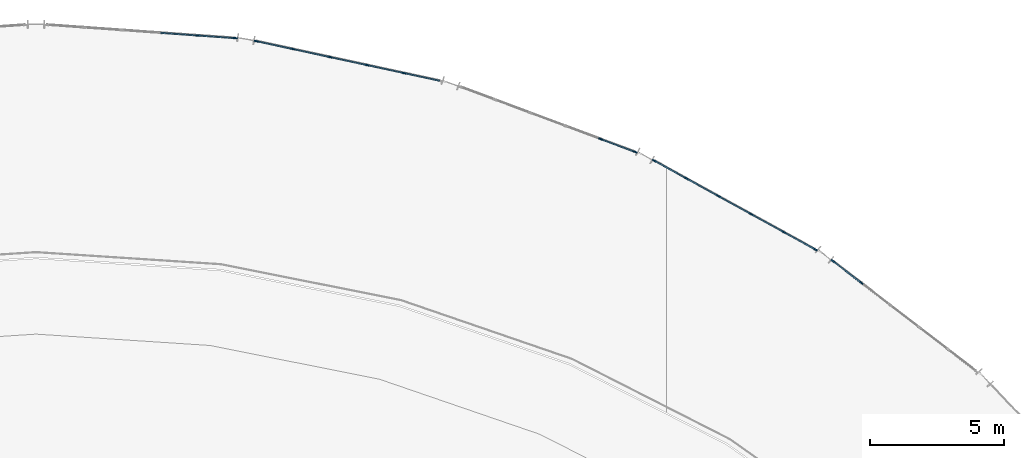
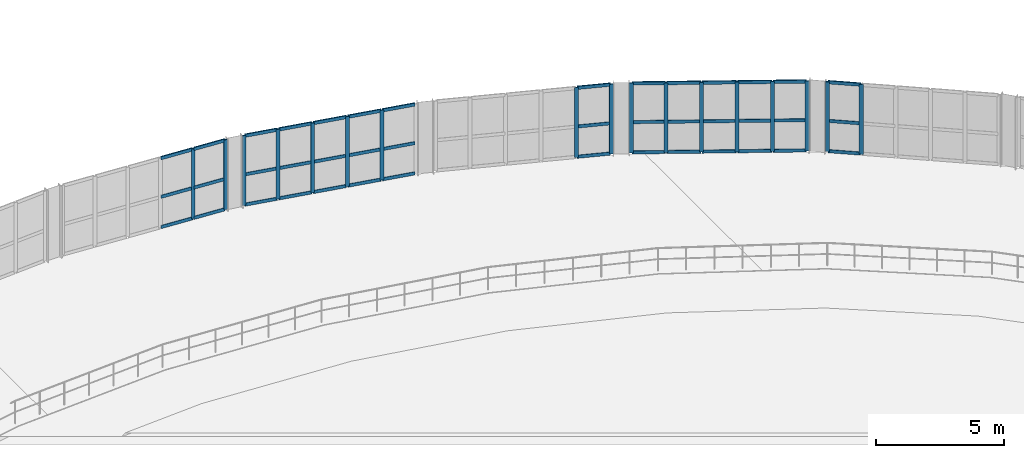
# One storey, part 21 of 40: 59 members, 5 elements without a shape of their own.
"""IFC4 building model written with IfcOpenShell, lengths in metres."""

from ifc_helpers import new_model, si_unit, direction, frame, origin, origin_2d, place, context, subcontext, project, spatial, rectangle, extrude, material, material_profile, profile_set, type_object, element, aggregate, save


model = new_model("IFC4")

# Units and contexts
model_context = context("Model", 3, precision=1e-05, world=origin(), true_north=direction((0.0, 1.0)))
body_context = subcontext(model_context, "Body", "Model", "MODEL_VIEW")
ifc_project = project(units=[si_unit("LENGTHUNIT", "METRE"), si_unit("AREAUNIT", "SQUARE_METRE"), si_unit("VOLUMEUNIT", "CUBIC_METRE"), si_unit("PLANEANGLEUNIT", "RADIAN"), si_unit("MASSUNIT", "GRAM", prefix="KILO")], contexts=[model_context])

# Site, building, storey
site_placement = place(None, origin())
site = spatial("IfcSite", under=ifc_project, at=site_placement, CompositionType="ELEMENT")
building_placement = place(site_placement, origin())
building = spatial("IfcBuilding", under=site, at=building_placement, Name="Glasvene Arena", CompositionType="ELEMENT")
storey_placement = place(building_placement, frame((0.0, 0.0, 24.0)))
storey = spatial("IfcBuildingStorey", under=building, at=storey_placement, Name="L05", CompositionType="ELEMENT", Elevation=24.0)

# Curtain wall, members
ifc_material_1 = material(Name="Low-emissivity laminated double glazing", Category="glass")
curtain_wall_type_1 = type_object("IfcCurtainWallType", Name="CW-FAC-L05-710x332", PredefinedType="USERDEFINED", material=ifc_material_1)
curtain_wall_1_placement = place(storey_placement, frame((92.366943359375, 117.97412109375, 0.0)))
curtain_wall_1 = element("IfcCurtainWall", 1, at=curtain_wall_1_placement, inside=storey, type_object=curtain_wall_type_1, Name="Unitised curtain wall CW-F-L05-150-959-1177-19", ObjectType="CURTAIN WALL", PredefinedType="USERDEFINED")
ifc_material_2 = material(Name="Anodised architectural aluminium", Category="aluminium")
ifc_material_profile_1 = material_profile(ifc_material_2, rectangle(XDim=0.050048828125, YDim=0.159912109375, at=origin_2d()), Name="ALU MULLION 50x160")
ifc_profile_set_1 = profile_set([ifc_material_profile_1], Name="Anodised architectural aluminium")
member_type_1 = type_object("IfcMemberType", Name="CW-MUL-150", PredefinedType="MULLION", material=ifc_profile_set_1)
member_1_placement = place(storey_placement, frame((98.03662109375, 117.572509765625, 0.06005859375), z_axis=(0.0, 0.0, 1.0), x_axis=(0.070656884566, 0.997500679029, 0.0)))
member_1 = element("IfcMember", 2, at=member_1_placement, type_object=member_type_1, Name="CW-065 mullion 5", PredefinedType="MULLION", context=body_context, shape_type="SweptSolid", body=[
    extrude(rectangle(XDim=0.050048828125, YDim=0.159912109375, at=origin_2d()), origin(), (0.0, 0.0, 1.0), 3.31982421875),
])
member_2_placement = place(storey_placement, frame((99.428955078125, 117.473876953125, 0.06005859375), z_axis=(0.0, 0.0, 1.0), x_axis=(0.070656884566, 0.997500679029, 0.0)))
member_2 = element("IfcMember", 3, at=member_2_placement, type_object=member_type_1, Name="CW-065 mullion 6", PredefinedType="MULLION", context=body_context, shape_type="SweptSolid", body=[
    extrude(rectangle(XDim=0.050048828125, YDim=0.159912109375, at=origin_2d()), origin(), (0.0, 0.0, 1.0), 3.31982421875),
])

curtain_wall_type_2 = type_object("IfcCurtainWallType", Name="CW-FAC-L05-707x332", PredefinedType="USERDEFINED", material=ifc_material_1)
curtain_wall_2_placement = place(storey_placement, frame((100.1806640625, 117.368408203125, 0.0)))
curtain_wall_2 = element("IfcCurtainWall", 4, at=curtain_wall_2_placement, inside=storey, type_object=curtain_wall_type_2, Name="Unitised curtain wall CW-F-L05-150-1036-1166-20", ObjectType="CURTAIN WALL", PredefinedType="USERDEFINED")
member_3_placement = place(storey_placement, frame((100.205078125, 117.36328125, 0.06005859375), z_axis=(0.0, 0.0, 1.0), x_axis=(0.211220641072, 0.977438407668, 0.0)))
member_3 = element("IfcMember", 5, at=member_3_placement, type_object=member_type_1, Name="CW-064 mullion 1", PredefinedType="MULLION", context=body_context, shape_type="SweptSolid", body=[
    extrude(rectangle(XDim=0.050048828125, YDim=0.159912109375, at=origin_2d()), origin(), (0.0, 0.0, 1.0), 3.31982421875),
])
member_4_placement = place(storey_placement, frame((101.5625, 117.06982421875, 0.06005859375), z_axis=(0.0, 0.0, 1.0), x_axis=(0.211220641072, 0.977438407668, 0.0)))
member_4 = element("IfcMember", 6, at=member_4_placement, type_object=member_type_1, Name="CW-064 mullion 2", PredefinedType="MULLION", context=body_context, shape_type="SweptSolid", body=[
    extrude(rectangle(XDim=0.050048828125, YDim=0.159912109375, at=origin_2d()), origin(), (0.0, 0.0, 1.0), 3.31982421875),
])
member_5_placement = place(storey_placement, frame((102.944091796875, 116.771240234375, 0.06005859375), z_axis=(0.0, 0.0, 1.0), x_axis=(0.211220641072, 0.977438407668, 0.0)))
member_5 = element("IfcMember", 7, at=member_5_placement, type_object=member_type_1, Name="CW-064 mullion 3", PredefinedType="MULLION", context=body_context, shape_type="SweptSolid", body=[
    extrude(rectangle(XDim=0.050048828125, YDim=0.159912109375, at=origin_2d()), origin(), (0.0, 0.0, 1.0), 3.31982421875),
])
member_6_placement = place(storey_placement, frame((104.32568359375, 116.47265625, 0.06005859375), z_axis=(0.0, 0.0, 1.0), x_axis=(0.211220641072, 0.977438407668, 0.0)))
member_6 = element("IfcMember", 8, at=member_6_placement, type_object=member_type_1, Name="CW-064 mullion 4", PredefinedType="MULLION", context=body_context, shape_type="SweptSolid", body=[
    extrude(rectangle(XDim=0.050048828125, YDim=0.159912109375, at=origin_2d()), origin(), (0.0, 0.0, 1.0), 3.31982421875),
])
member_7_placement = place(storey_placement, frame((105.70751953125, 116.174072265625, 0.06005859375), z_axis=(0.0, 0.0, 1.0), x_axis=(0.211220641072, 0.977438407668, 0.0)))
member_7 = element("IfcMember", 9, at=member_7_placement, type_object=member_type_1, Name="CW-064 mullion 5", PredefinedType="MULLION", context=body_context, shape_type="SweptSolid", body=[
    extrude(rectangle(XDim=0.050048828125, YDim=0.159912109375, at=origin_2d()), origin(), (0.0, 0.0, 1.0), 3.31982421875),
])

curtain_wall_type_3 = type_object("IfcCurtainWallType", Name="CW-FAC-L05-700x332", PredefinedType="USERDEFINED", material=ifc_material_1)
curtain_wall_3_placement = place(storey_placement, frame((107.794677734375, 115.669189453125, 0.0)))
curtain_wall_3 = element("IfcCurtainWall", 10, at=curtain_wall_3_placement, inside=storey, type_object=curtain_wall_type_3, Name="Unitised curtain wall CW-F-L05-150-1111-1144-21", ObjectType="CURTAIN WALL", PredefinedType="USERDEFINED")
member_8_placement = place(storey_placement, frame((113.040283203125, 113.7138671875, 0.06005859375), z_axis=(0.0, 0.0, 1.0), x_axis=(0.349296753096, 0.937012154818, 0.0)))
member_8 = element("IfcMember", 11, at=member_8_placement, type_object=member_type_1, Name="CW-063 mullion 5", PredefinedType="MULLION", context=body_context, shape_type="SweptSolid", body=[
    extrude(rectangle(XDim=0.050048828125, YDim=0.159912109375, at=origin_2d()), origin(), (0.0, 0.0, 1.0), 3.31982421875),
])
member_9_placement = place(storey_placement, frame((114.328369140625, 113.233642578125, 0.06005859375), z_axis=(0.0, 0.0, 1.0), x_axis=(0.349296753096, 0.937012154818, 0.0)))
member_9 = element("IfcMember", 12, at=member_9_placement, type_object=member_type_1, Name="CW-063 mullion 6", PredefinedType="MULLION", context=body_context, shape_type="SweptSolid", body=[
    extrude(rectangle(XDim=0.050048828125, YDim=0.159912109375, at=origin_2d()), origin(), (0.0, 0.0, 1.0), 3.31982421875),
])

curtain_wall_type_4 = type_object("IfcCurtainWallType", Name="CW-FAC-L05-690x332", PredefinedType="USERDEFINED", material=ifc_material_1)
curtain_wall_4_placement = place(storey_placement, frame((115.02099609375, 112.918212890625, 0.0)))
curtain_wall_4 = element("IfcCurtainWall", 13, at=curtain_wall_4_placement, inside=storey, type_object=curtain_wall_type_4, Name="Unitised curtain wall CW-F-L05-150-1180-1113-22", ObjectType="CURTAIN WALL", PredefinedType="USERDEFINED")
member_10_placement = place(storey_placement, frame((115.042724609375, 112.906005859375, 0.06005859375), z_axis=(0.0, 0.0, 1.0), x_axis=(0.482938658483, 0.875654185248, 0.0)))
member_10 = element("IfcMember", 14, at=member_10_placement, type_object=member_type_1, Name="CW-062 mullion 1", PredefinedType="MULLION", context=body_context, shape_type="SweptSolid", body=[
    extrude(rectangle(XDim=0.050048828125, YDim=0.159912109375, at=origin_2d()), origin(), (0.0, 0.0, 1.0), 3.31982421875),
])
member_11_placement = place(storey_placement, frame((116.2294921875, 112.25146484375, 0.06005859375), z_axis=(0.0, 0.0, 1.0), x_axis=(0.482938658483, 0.875654185248, 0.0)))
member_11 = element("IfcMember", 15, at=member_11_placement, type_object=member_type_1, Name="CW-062 mullion 2", PredefinedType="MULLION", context=body_context, shape_type="SweptSolid", body=[
    extrude(rectangle(XDim=0.050048828125, YDim=0.159912109375, at=origin_2d()), origin(), (0.0, 0.0, 1.0), 3.31982421875),
])
member_12_placement = place(storey_placement, frame((117.43798828125, 111.5849609375, 0.06005859375), z_axis=(0.0, 0.0, 1.0), x_axis=(0.482938658483, 0.875654185248, 0.0)))
member_12 = element("IfcMember", 16, at=member_12_placement, type_object=member_type_1, Name="CW-062 mullion 3", PredefinedType="MULLION", context=body_context, shape_type="SweptSolid", body=[
    extrude(rectangle(XDim=0.050048828125, YDim=0.159912109375, at=origin_2d()), origin(), (0.0, 0.0, 1.0), 3.31982421875),
])
member_13_placement = place(storey_placement, frame((118.646484375, 110.91845703125, 0.06005859375), z_axis=(0.0, 0.0, 1.0), x_axis=(0.482938658483, 0.875654185248, 0.0)))
member_13 = element("IfcMember", 17, at=member_13_placement, type_object=member_type_1, Name="CW-062 mullion 4", PredefinedType="MULLION", context=body_context, shape_type="SweptSolid", body=[
    extrude(rectangle(XDim=0.050048828125, YDim=0.159912109375, at=origin_2d()), origin(), (0.0, 0.0, 1.0), 3.31982421875),
])
member_14_placement = place(storey_placement, frame((119.85498046875, 110.251953125, 0.06005859375), z_axis=(0.0, 0.0, 1.0), x_axis=(0.482938658483, 0.875654185248, 0.0)))
member_14 = element("IfcMember", 18, at=member_14_placement, type_object=member_type_1, Name="CW-062 mullion 5", PredefinedType="MULLION", context=body_context, shape_type="SweptSolid", body=[
    extrude(rectangle(XDim=0.050048828125, YDim=0.159912109375, at=origin_2d()), origin(), (0.0, 0.0, 1.0), 3.31982421875),
])
member_15_placement = place(storey_placement, frame((121.04150390625, 109.59765625, 0.06005859375), z_axis=(0.0, 0.0, 1.0), x_axis=(0.482938658483, 0.875654185248, 0.0)))
member_15 = element("IfcMember", 19, at=member_15_placement, type_object=member_type_1, Name="CW-062 mullion 6", PredefinedType="MULLION", context=body_context, shape_type="SweptSolid", body=[
    extrude(rectangle(XDim=0.050048828125, YDim=0.159912109375, at=origin_2d()), origin(), (0.0, 0.0, 1.0), 3.31982421875),
])

curtain_wall_type_5 = type_object("IfcCurtainWallType", Name="CW-FAC-L05-679x332", PredefinedType="USERDEFINED", material=ifc_material_1)
curtain_wall_5_placement = place(storey_placement, frame((121.680419921875, 109.18212890625, 0.0)))
curtain_wall_5 = element("IfcCurtainWall", 20, at=curtain_wall_5_placement, inside=storey, type_object=curtain_wall_type_5, Name="Unitised curtain wall CW-F-L05-150-1244-1071-23", ObjectType="CURTAIN WALL", PredefinedType="USERDEFINED")
member_16_placement = place(storey_placement, frame((121.7001953125, 109.166748046875, 0.06005859375), z_axis=(0.0, 0.0, 1.0), x_axis=(0.609430105187, 0.792839799008, 0.0)))
member_16 = element("IfcMember", 21, at=member_16_placement, type_object=member_type_1, Name="CW-061 mullion 1", PredefinedType="MULLION", context=body_context, shape_type="SweptSolid", body=[
    extrude(rectangle(XDim=0.050048828125, YDim=0.159912109375, at=origin_2d()), origin(), (0.0, 0.0, 1.0), 3.31982421875),
])
member_17_placement = place(storey_placement, frame((122.75634765625, 108.35498046875, 0.06005859375), z_axis=(0.0, 0.0, 1.0), x_axis=(0.609430105187, 0.792839799008, 0.0)))
member_17 = element("IfcMember", 22, at=member_17_placement, type_object=member_type_1, Name="CW-061 mullion 2", PredefinedType="MULLION", context=body_context, shape_type="SweptSolid", body=[
    extrude(rectangle(XDim=0.050048828125, YDim=0.159912109375, at=origin_2d()), origin(), (0.0, 0.0, 1.0), 3.31982421875),
])

# Member
ifc_material_profile_2 = material_profile(ifc_material_2, rectangle(XDim=0.050048828125, YDim=0.14990234375, at=origin_2d()), Name="ALU TRANSOM 50x150")
ifc_profile_set_2 = profile_set([ifc_material_profile_2], Name="Anodised architectural aluminium")
member_type_2 = type_object("IfcMemberType", Name="CW-TRN-150", PredefinedType="USERDEFINED", material=ifc_profile_set_2)
member_18_placement = place(storey_placement, frame((96.64404296875, 117.671142578125, 0.0849609375), z_axis=(0.997497424399, -0.070702816905, 0.0), x_axis=(0.070702816905, 0.997497424399, 0.0)))
member_18 = element("IfcMember", 23, at=member_18_placement, type_object=member_type_2, Name="CW-065 transom 4.1", ObjectType="TRANSOM", PredefinedType="USERDEFINED", context=body_context, shape_type="SweptSolid", body=[
    extrude(rectangle(XDim=0.050048828125, YDim=0.14990234375, at=origin_2d()), origin(), (0.0, 0.0, 1.0), 1.370849609375),
])

member_19_placement = place(storey_placement, frame((96.64404296875, 117.671142578125, 1.52099609375), z_axis=(0.997497424399, -0.070702816905, 0.0), x_axis=(0.070702816905, 0.997497424399, 0.0)))
member_19 = element("IfcMember", 24, at=member_19_placement, type_object=member_type_2, Name="CW-065 transom 4.2", ObjectType="TRANSOM", PredefinedType="USERDEFINED", context=body_context, shape_type="SweptSolid", body=[
    extrude(rectangle(XDim=0.050048828125, YDim=0.14990234375, at=origin_2d()), origin(), (0.0, 0.0, 1.0), 1.370849609375),
])

member_20_placement = place(storey_placement, frame((96.64404296875, 117.671142578125, 3.35498046875), z_axis=(0.997497424399, -0.070702816905, 0.0), x_axis=(0.070702816905, 0.997497424399, 0.0)))
member_20 = element("IfcMember", 25, at=member_20_placement, type_object=member_type_2, Name="CW-065 transom 4.3", ObjectType="TRANSOM", PredefinedType="USERDEFINED", context=body_context, shape_type="SweptSolid", body=[
    extrude(rectangle(XDim=0.050048828125, YDim=0.14990234375, at=origin_2d()), origin(), (0.0, 0.0, 1.0), 1.370849609375),
])

member_21_placement = place(storey_placement, frame((98.0615234375, 117.570556640625, 0.0849609375), z_axis=(0.997507268322, -0.070563798396, 0.0), x_axis=(0.070563798396, 0.997507268322, 0.0)))
member_21 = element("IfcMember", 26, at=member_21_placement, type_object=member_type_2, Name="CW-065 transom 5.1", ObjectType="TRANSOM", PredefinedType="USERDEFINED", context=body_context, shape_type="SweptSolid", body=[
    extrude(rectangle(XDim=0.050048828125, YDim=0.14990234375, at=origin_2d()), origin(), (0.0, 0.0, 1.0), 1.345947265625),
])

member_22_placement = place(storey_placement, frame((98.0615234375, 117.570556640625, 1.52099609375), z_axis=(0.997507268322, -0.070563798396, 0.0), x_axis=(0.070563798396, 0.997507268322, 0.0)))
member_22 = element("IfcMember", 27, at=member_22_placement, type_object=member_type_2, Name="CW-065 transom 5.2", ObjectType="TRANSOM", PredefinedType="USERDEFINED", context=body_context, shape_type="SweptSolid", body=[
    extrude(rectangle(XDim=0.050048828125, YDim=0.14990234375, at=origin_2d()), origin(), (0.0, 0.0, 1.0), 1.345947265625),
])

member_23_placement = place(storey_placement, frame((98.0615234375, 117.570556640625, 3.35498046875), z_axis=(0.997507268322, -0.070563798396, 0.0), x_axis=(0.070563798396, 0.997507268322, 0.0)))
member_23 = element("IfcMember", 28, at=member_23_placement, type_object=member_type_2, Name="CW-065 transom 5.3", ObjectType="TRANSOM", PredefinedType="USERDEFINED", context=body_context, shape_type="SweptSolid", body=[
    extrude(rectangle(XDim=0.050048828125, YDim=0.14990234375, at=origin_2d()), origin(), (0.0, 0.0, 1.0), 1.345947265625),
])

aggregate(curtain_wall_1, [member_1, member_2, member_18, member_19, member_20, member_21, member_22, member_23])

member_24_placement = place(storey_placement, frame((100.2294921875, 117.35791015625, 0.0849609375), z_axis=(0.97744876634, -0.211172699892, 0.0), x_axis=(0.211172699892, 0.97744876634, 0.0)))
member_24 = element("IfcMember", 29, at=member_24_placement, type_object=member_type_2, Name="CW-064 transom 1.1", ObjectType="TRANSOM", PredefinedType="USERDEFINED", context=body_context, shape_type="SweptSolid", body=[
    extrude(rectangle(XDim=0.050048828125, YDim=0.14990234375, at=origin_2d()), origin(), (0.0, 0.0, 1.0), 1.3388671875),
])

member_25_placement = place(storey_placement, frame((100.2294921875, 117.35791015625, 1.52099609375), z_axis=(0.97744876634, -0.211172699892, 0.0), x_axis=(0.211172699892, 0.97744876634, 0.0)))
member_25 = element("IfcMember", 30, at=member_25_placement, type_object=member_type_2, Name="CW-064 transom 1.2", ObjectType="TRANSOM", PredefinedType="USERDEFINED", context=body_context, shape_type="SweptSolid", body=[
    extrude(rectangle(XDim=0.050048828125, YDim=0.14990234375, at=origin_2d()), origin(), (0.0, 0.0, 1.0), 1.3388671875),
])

member_26_placement = place(storey_placement, frame((100.2294921875, 117.35791015625, 3.35498046875), z_axis=(0.97744876634, -0.211172699892, 0.0), x_axis=(0.211172699892, 0.97744876634, 0.0)))
member_26 = element("IfcMember", 31, at=member_26_placement, type_object=member_type_2, Name="CW-064 transom 1.3", ObjectType="TRANSOM", PredefinedType="USERDEFINED", context=body_context, shape_type="SweptSolid", body=[
    extrude(rectangle(XDim=0.050048828125, YDim=0.14990234375, at=origin_2d()), origin(), (0.0, 0.0, 1.0), 1.3388671875),
])

member_27_placement = place(storey_placement, frame((101.5869140625, 117.064697265625, 0.0849609375), z_axis=(0.977426158745, -0.211277315867, 0.0), x_axis=(0.211277315867, 0.977426158745, 0.0)))
member_27 = element("IfcMember", 32, at=member_27_placement, type_object=member_type_2, Name="CW-064 transom 2.1", ObjectType="TRANSOM", PredefinedType="USERDEFINED", context=body_context, shape_type="SweptSolid", body=[
    extrude(rectangle(XDim=0.050048828125, YDim=0.14990234375, at=origin_2d()), origin(), (0.0, 0.0, 1.0), 1.363525390625),
])

member_28_placement = place(storey_placement, frame((101.5869140625, 117.064697265625, 1.52099609375), z_axis=(0.977426158745, -0.211277315867, 0.0), x_axis=(0.211277315867, 0.977426158745, 0.0)))
member_28 = element("IfcMember", 33, at=member_28_placement, type_object=member_type_2, Name="CW-064 transom 2.2", ObjectType="TRANSOM", PredefinedType="USERDEFINED", context=body_context, shape_type="SweptSolid", body=[
    extrude(rectangle(XDim=0.050048828125, YDim=0.14990234375, at=origin_2d()), origin(), (0.0, 0.0, 1.0), 1.363525390625),
])

member_29_placement = place(storey_placement, frame((101.5869140625, 117.064697265625, 3.35498046875), z_axis=(0.977426158745, -0.211277315867, 0.0), x_axis=(0.211277315867, 0.977426158745, 0.0)))
member_29 = element("IfcMember", 34, at=member_29_placement, type_object=member_type_2, Name="CW-064 transom 2.3", ObjectType="TRANSOM", PredefinedType="USERDEFINED", context=body_context, shape_type="SweptSolid", body=[
    extrude(rectangle(XDim=0.050048828125, YDim=0.14990234375, at=origin_2d()), origin(), (0.0, 0.0, 1.0), 1.363525390625),
])

member_30_placement = place(storey_placement, frame((102.968505859375, 116.76611328125, 0.0849609375), z_axis=(0.977426158745, -0.211277315867, 0.0), x_axis=(0.211277315867, 0.977426158745, 0.0)))
member_30 = element("IfcMember", 35, at=member_30_placement, type_object=member_type_2, Name="CW-064 transom 3.1", ObjectType="TRANSOM", PredefinedType="USERDEFINED", context=body_context, shape_type="SweptSolid", body=[
    extrude(rectangle(XDim=0.050048828125, YDim=0.14990234375, at=origin_2d()), origin(), (0.0, 0.0, 1.0), 1.363525390625),
])

member_31_placement = place(storey_placement, frame((102.968505859375, 116.76611328125, 1.52099609375), z_axis=(0.977426158745, -0.211277315867, 0.0), x_axis=(0.211277315867, 0.977426158745, 0.0)))
member_31 = element("IfcMember", 36, at=member_31_placement, type_object=member_type_2, Name="CW-064 transom 3.2", ObjectType="TRANSOM", PredefinedType="USERDEFINED", context=body_context, shape_type="SweptSolid", body=[
    extrude(rectangle(XDim=0.050048828125, YDim=0.14990234375, at=origin_2d()), origin(), (0.0, 0.0, 1.0), 1.363525390625),
])

member_32_placement = place(storey_placement, frame((102.968505859375, 116.76611328125, 3.35498046875), z_axis=(0.977426158745, -0.211277315867, 0.0), x_axis=(0.211277315867, 0.977426158745, 0.0)))
member_32 = element("IfcMember", 37, at=member_32_placement, type_object=member_type_2, Name="CW-064 transom 3.3", ObjectType="TRANSOM", PredefinedType="USERDEFINED", context=body_context, shape_type="SweptSolid", body=[
    extrude(rectangle(XDim=0.050048828125, YDim=0.14990234375, at=origin_2d()), origin(), (0.0, 0.0, 1.0), 1.363525390625),
])

member_33_placement = place(storey_placement, frame((104.350341796875, 116.467529296875, 0.0849609375), z_axis=(0.977426158745, -0.211277315867, 0.0), x_axis=(0.211277315867, 0.977426158745, 0.0)))
member_33 = element("IfcMember", 38, at=member_33_placement, type_object=member_type_2, Name="CW-064 transom 4.1", ObjectType="TRANSOM", PredefinedType="USERDEFINED", context=body_context, shape_type="SweptSolid", body=[
    extrude(rectangle(XDim=0.050048828125, YDim=0.14990234375, at=origin_2d()), origin(), (0.0, 0.0, 1.0), 1.363525390625),
])

member_34_placement = place(storey_placement, frame((104.350341796875, 116.467529296875, 1.52099609375), z_axis=(0.977426158745, -0.211277315867, 0.0), x_axis=(0.211277315867, 0.977426158745, 0.0)))
member_34 = element("IfcMember", 39, at=member_34_placement, type_object=member_type_2, Name="CW-064 transom 4.2", ObjectType="TRANSOM", PredefinedType="USERDEFINED", context=body_context, shape_type="SweptSolid", body=[
    extrude(rectangle(XDim=0.050048828125, YDim=0.14990234375, at=origin_2d()), origin(), (0.0, 0.0, 1.0), 1.363525390625),
])

member_35_placement = place(storey_placement, frame((104.350341796875, 116.467529296875, 3.35498046875), z_axis=(0.977426158745, -0.211277315867, 0.0), x_axis=(0.211277315867, 0.977426158745, 0.0)))
member_35 = element("IfcMember", 40, at=member_35_placement, type_object=member_type_2, Name="CW-064 transom 4.3", ObjectType="TRANSOM", PredefinedType="USERDEFINED", context=body_context, shape_type="SweptSolid", body=[
    extrude(rectangle(XDim=0.050048828125, YDim=0.14990234375, at=origin_2d()), origin(), (0.0, 0.0, 1.0), 1.363525390625),
])

member_36_placement = place(storey_placement, frame((105.73193359375, 116.1689453125, 0.0849609375), z_axis=(0.977440632027, -0.211210347432, 0.0), x_axis=(0.211210347432, 0.977440632027, 0.0)))
member_36 = element("IfcMember", 41, at=member_36_placement, type_object=member_type_2, Name="CW-064 transom 5.1", ObjectType="TRANSOM", PredefinedType="USERDEFINED", context=body_context, shape_type="SweptSolid", body=[
    extrude(rectangle(XDim=0.050048828125, YDim=0.14990234375, at=origin_2d()), origin(), (0.0, 0.0, 1.0), 1.338623046875),
])

member_37_placement = place(storey_placement, frame((105.73193359375, 116.1689453125, 1.52099609375), z_axis=(0.977440632027, -0.211210347432, 0.0), x_axis=(0.211210347432, 0.977440632027, 0.0)))
member_37 = element("IfcMember", 42, at=member_37_placement, type_object=member_type_2, Name="CW-064 transom 5.2", ObjectType="TRANSOM", PredefinedType="USERDEFINED", context=body_context, shape_type="SweptSolid", body=[
    extrude(rectangle(XDim=0.050048828125, YDim=0.14990234375, at=origin_2d()), origin(), (0.0, 0.0, 1.0), 1.338623046875),
])

member_38_placement = place(storey_placement, frame((105.73193359375, 116.1689453125, 3.35498046875), z_axis=(0.977440632027, -0.211210347432, 0.0), x_axis=(0.211210347432, 0.977440632027, 0.0)))
member_38 = element("IfcMember", 43, at=member_38_placement, type_object=member_type_2, Name="CW-064 transom 5.3", ObjectType="TRANSOM", PredefinedType="USERDEFINED", context=body_context, shape_type="SweptSolid", body=[
    extrude(rectangle(XDim=0.050048828125, YDim=0.14990234375, at=origin_2d()), origin(), (0.0, 0.0, 1.0), 1.338623046875),
])

aggregate(curtain_wall_2, [member_3, member_4, member_5, member_6, member_7, member_24, member_25, member_26, member_27, member_28, member_29, member_30, member_31, member_32, member_33, member_34, member_35, member_36, member_37, member_38])

member_39_placement = place(storey_placement, frame((113.063720703125, 113.705078125, 0.0849609375), z_axis=(0.937024171084, -0.349264516956, 0.0), x_axis=(0.349264516956, 0.937024171084, 0.0)))
member_39 = element("IfcMember", 44, at=member_39_placement, type_object=member_type_2, Name="CW-063 transom 5.1", ObjectType="TRANSOM", PredefinedType="USERDEFINED", context=body_context, shape_type="SweptSolid", body=[
    extrude(rectangle(XDim=0.050048828125, YDim=0.14990234375, at=origin_2d()), origin(), (0.0, 0.0, 1.0), 1.32470703125),
])

member_40_placement = place(storey_placement, frame((113.063720703125, 113.705078125, 1.52099609375), z_axis=(0.937024171084, -0.349264516956, 0.0), x_axis=(0.349264516956, 0.937024171084, 0.0)))
member_40 = element("IfcMember", 45, at=member_40_placement, type_object=member_type_2, Name="CW-063 transom 5.2", ObjectType="TRANSOM", PredefinedType="USERDEFINED", context=body_context, shape_type="SweptSolid", body=[
    extrude(rectangle(XDim=0.050048828125, YDim=0.14990234375, at=origin_2d()), origin(), (0.0, 0.0, 1.0), 1.32470703125),
])

member_41_placement = place(storey_placement, frame((113.063720703125, 113.705078125, 3.35498046875), z_axis=(0.937024171084, -0.349264516956, 0.0), x_axis=(0.349264516956, 0.937024171084, 0.0)))
member_41 = element("IfcMember", 46, at=member_41_placement, type_object=member_type_2, Name="CW-063 transom 5.3", ObjectType="TRANSOM", PredefinedType="USERDEFINED", context=body_context, shape_type="SweptSolid", body=[
    extrude(rectangle(XDim=0.050048828125, YDim=0.14990234375, at=origin_2d()), origin(), (0.0, 0.0, 1.0), 1.32470703125),
])

aggregate(curtain_wall_3, [member_8, member_9, member_39, member_40, member_41])

member_42_placement = place(storey_placement, frame((115.064697265625, 112.89404296875, 0.0849609375), z_axis=(0.875626789087, -0.482988329293, 0.0), x_axis=(0.482988329293, 0.875626789087, 0.0)))
member_42 = element("IfcMember", 47, at=member_42_placement, type_object=member_type_2, Name="CW-062 transom 1.1", ObjectType="TRANSOM", PredefinedType="USERDEFINED", context=body_context, shape_type="SweptSolid", body=[
    extrude(rectangle(XDim=0.050048828125, YDim=0.14990234375, at=origin_2d()), origin(), (0.0, 0.0, 1.0), 1.30517578125),
])

member_43_placement = place(storey_placement, frame((115.064697265625, 112.89404296875, 1.52099609375), z_axis=(0.875626789087, -0.482988329293, 0.0), x_axis=(0.482988329293, 0.875626789087, 0.0)))
member_43 = element("IfcMember", 48, at=member_43_placement, type_object=member_type_2, Name="CW-062 transom 1.2", ObjectType="TRANSOM", PredefinedType="USERDEFINED", context=body_context, shape_type="SweptSolid", body=[
    extrude(rectangle(XDim=0.050048828125, YDim=0.14990234375, at=origin_2d()), origin(), (0.0, 0.0, 1.0), 1.30517578125),
])

member_44_placement = place(storey_placement, frame((115.064697265625, 112.89404296875, 3.35498046875), z_axis=(0.875626789087, -0.482988329293, 0.0), x_axis=(0.482988329293, 0.875626789087, 0.0)))
member_44 = element("IfcMember", 49, at=member_44_placement, type_object=member_type_2, Name="CW-062 transom 1.3", ObjectType="TRANSOM", PredefinedType="USERDEFINED", context=body_context, shape_type="SweptSolid", body=[
    extrude(rectangle(XDim=0.050048828125, YDim=0.14990234375, at=origin_2d()), origin(), (0.0, 0.0, 1.0), 1.30517578125),
])

member_45_placement = place(storey_placement, frame((116.251220703125, 112.239501953125, 0.0849609375), z_axis=(0.875676714478, -0.482897806705, 0.0), x_axis=(0.482897806705, 0.875676714478, 0.0)))
member_45 = element("IfcMember", 50, at=member_45_placement, type_object=member_type_2, Name="CW-062 transom 2.1", ObjectType="TRANSOM", PredefinedType="USERDEFINED", context=body_context, shape_type="SweptSolid", body=[
    extrude(rectangle(XDim=0.050048828125, YDim=0.14990234375, at=origin_2d()), origin(), (0.0, 0.0, 1.0), 1.330078125),
])

member_46_placement = place(storey_placement, frame((116.251220703125, 112.239501953125, 1.52099609375), z_axis=(0.875676714478, -0.482897806705, 0.0), x_axis=(0.482897806705, 0.875676714478, 0.0)))
member_46 = element("IfcMember", 51, at=member_46_placement, type_object=member_type_2, Name="CW-062 transom 2.2", ObjectType="TRANSOM", PredefinedType="USERDEFINED", context=body_context, shape_type="SweptSolid", body=[
    extrude(rectangle(XDim=0.050048828125, YDim=0.14990234375, at=origin_2d()), origin(), (0.0, 0.0, 1.0), 1.330078125),
])

member_47_placement = place(storey_placement, frame((116.251220703125, 112.239501953125, 3.35498046875), z_axis=(0.875676714478, -0.482897806705, 0.0), x_axis=(0.482897806705, 0.875676714478, 0.0)))
member_47 = element("IfcMember", 52, at=member_47_placement, type_object=member_type_2, Name="CW-062 transom 2.3", ObjectType="TRANSOM", PredefinedType="USERDEFINED", context=body_context, shape_type="SweptSolid", body=[
    extrude(rectangle(XDim=0.050048828125, YDim=0.14990234375, at=origin_2d()), origin(), (0.0, 0.0, 1.0), 1.330078125),
])

member_48_placement = place(storey_placement, frame((117.459716796875, 111.572998046875, 0.0849609375), z_axis=(0.875676714478, -0.482897806705, 0.0), x_axis=(0.482897806705, 0.875676714478, 0.0)))
member_48 = element("IfcMember", 53, at=member_48_placement, type_object=member_type_2, Name="CW-062 transom 3.1", ObjectType="TRANSOM", PredefinedType="USERDEFINED", context=body_context, shape_type="SweptSolid", body=[
    extrude(rectangle(XDim=0.050048828125, YDim=0.14990234375, at=origin_2d()), origin(), (0.0, 0.0, 1.0), 1.330078125),
])

member_49_placement = place(storey_placement, frame((117.459716796875, 111.572998046875, 1.52099609375), z_axis=(0.875676714478, -0.482897806705, 0.0), x_axis=(0.482897806705, 0.875676714478, 0.0)))
member_49 = element("IfcMember", 54, at=member_49_placement, type_object=member_type_2, Name="CW-062 transom 3.2", ObjectType="TRANSOM", PredefinedType="USERDEFINED", context=body_context, shape_type="SweptSolid", body=[
    extrude(rectangle(XDim=0.050048828125, YDim=0.14990234375, at=origin_2d()), origin(), (0.0, 0.0, 1.0), 1.330078125),
])

member_50_placement = place(storey_placement, frame((117.459716796875, 111.572998046875, 3.35498046875), z_axis=(0.875676714478, -0.482897806705, 0.0), x_axis=(0.482897806705, 0.875676714478, 0.0)))
member_50 = element("IfcMember", 55, at=member_50_placement, type_object=member_type_2, Name="CW-062 transom 3.3", ObjectType="TRANSOM", PredefinedType="USERDEFINED", context=body_context, shape_type="SweptSolid", body=[
    extrude(rectangle(XDim=0.050048828125, YDim=0.14990234375, at=origin_2d()), origin(), (0.0, 0.0, 1.0), 1.330078125),
])

member_51_placement = place(storey_placement, frame((118.66845703125, 110.906494140625, 0.0849609375), z_axis=(0.875633904051, -0.482975430096, 0.0), x_axis=(0.482975430096, 0.875633904051, 0.0)))
member_51 = element("IfcMember", 56, at=member_51_placement, type_object=member_type_2, Name="CW-062 transom 4.1", ObjectType="TRANSOM", PredefinedType="USERDEFINED", context=body_context, shape_type="SweptSolid", body=[
    extrude(rectangle(XDim=0.050048828125, YDim=0.14990234375, at=origin_2d()), origin(), (0.0, 0.0, 1.0), 1.329833984375),
])

member_52_placement = place(storey_placement, frame((118.66845703125, 110.906494140625, 1.52099609375), z_axis=(0.875633904051, -0.482975430096, 0.0), x_axis=(0.482975430096, 0.875633904051, 0.0)))
member_52 = element("IfcMember", 57, at=member_52_placement, type_object=member_type_2, Name="CW-062 transom 4.2", ObjectType="TRANSOM", PredefinedType="USERDEFINED", context=body_context, shape_type="SweptSolid", body=[
    extrude(rectangle(XDim=0.050048828125, YDim=0.14990234375, at=origin_2d()), origin(), (0.0, 0.0, 1.0), 1.329833984375),
])

member_53_placement = place(storey_placement, frame((118.66845703125, 110.906494140625, 3.35498046875), z_axis=(0.875633904051, -0.482975430096, 0.0), x_axis=(0.482975430096, 0.875633904051, 0.0)))
member_53 = element("IfcMember", 58, at=member_53_placement, type_object=member_type_2, Name="CW-062 transom 4.3", ObjectType="TRANSOM", PredefinedType="USERDEFINED", context=body_context, shape_type="SweptSolid", body=[
    extrude(rectangle(XDim=0.050048828125, YDim=0.14990234375, at=origin_2d()), origin(), (0.0, 0.0, 1.0), 1.329833984375),
])

member_54_placement = place(storey_placement, frame((119.876953125, 110.239990234375, 0.0849609375), z_axis=(0.875626789087, -0.482988329293, 0.0), x_axis=(0.482988329293, 0.875626789087, 0.0)))
member_54 = element("IfcMember", 59, at=member_54_placement, type_object=member_type_2, Name="CW-062 transom 5.1", ObjectType="TRANSOM", PredefinedType="USERDEFINED", context=body_context, shape_type="SweptSolid", body=[
    extrude(rectangle(XDim=0.050048828125, YDim=0.14990234375, at=origin_2d()), origin(), (0.0, 0.0, 1.0), 1.30517578125),
])

member_55_placement = place(storey_placement, frame((119.876953125, 110.239990234375, 1.52099609375), z_axis=(0.875626789087, -0.482988329293, 0.0), x_axis=(0.482988329293, 0.875626789087, 0.0)))
member_55 = element("IfcMember", 60, at=member_55_placement, type_object=member_type_2, Name="CW-062 transom 5.2", ObjectType="TRANSOM", PredefinedType="USERDEFINED", context=body_context, shape_type="SweptSolid", body=[
    extrude(rectangle(XDim=0.050048828125, YDim=0.14990234375, at=origin_2d()), origin(), (0.0, 0.0, 1.0), 1.30517578125),
])

member_56_placement = place(storey_placement, frame((119.876953125, 110.239990234375, 3.35498046875), z_axis=(0.875626789087, -0.482988329293, 0.0), x_axis=(0.482988329293, 0.875626789087, 0.0)))
member_56 = element("IfcMember", 61, at=member_56_placement, type_object=member_type_2, Name="CW-062 transom 5.3", ObjectType="TRANSOM", PredefinedType="USERDEFINED", context=body_context, shape_type="SweptSolid", body=[
    extrude(rectangle(XDim=0.050048828125, YDim=0.14990234375, at=origin_2d()), origin(), (0.0, 0.0, 1.0), 1.30517578125),
])

aggregate(curtain_wall_4, [member_10, member_11, member_12, member_13, member_14, member_15, member_42, member_43, member_44, member_45, member_46, member_47, member_48, member_49, member_50, member_51, member_52, member_53, member_54, member_55, member_56])

member_57_placement = place(storey_placement, frame((121.719970703125, 109.151611328125, 0.0849609375), z_axis=(0.792836336902, -0.609434609197, 0.0), x_axis=(0.609434609197, 0.792836336902, 0.0)))
member_57 = element("IfcMember", 62, at=member_57_placement, type_object=member_type_2, Name="CW-061 transom 1.1", ObjectType="TRANSOM", PredefinedType="USERDEFINED", context=body_context, shape_type="SweptSolid", body=[
    extrude(rectangle(XDim=0.050048828125, YDim=0.14990234375, at=origin_2d()), origin(), (0.0, 0.0, 1.0), 1.281982421875),
])

member_58_placement = place(storey_placement, frame((121.719970703125, 109.151611328125, 1.52099609375), z_axis=(0.792836336902, -0.609434609197, 0.0), x_axis=(0.609434609197, 0.792836336902, 0.0)))
member_58 = element("IfcMember", 63, at=member_58_placement, type_object=member_type_2, Name="CW-061 transom 1.2", ObjectType="TRANSOM", PredefinedType="USERDEFINED", context=body_context, shape_type="SweptSolid", body=[
    extrude(rectangle(XDim=0.050048828125, YDim=0.14990234375, at=origin_2d()), origin(), (0.0, 0.0, 1.0), 1.281982421875),
])

member_59_placement = place(storey_placement, frame((121.719970703125, 109.151611328125, 3.35498046875), z_axis=(0.792836336902, -0.609434609197, 0.0), x_axis=(0.609434609197, 0.792836336902, 0.0)))
member_59 = element("IfcMember", 64, at=member_59_placement, type_object=member_type_2, Name="CW-061 transom 1.3", ObjectType="TRANSOM", PredefinedType="USERDEFINED", context=body_context, shape_type="SweptSolid", body=[
    extrude(rectangle(XDim=0.050048828125, YDim=0.14990234375, at=origin_2d()), origin(), (0.0, 0.0, 1.0), 1.281982421875),
])

aggregate(curtain_wall_5, [member_16, member_17, member_57, member_58, member_59])

save(model, "model.ifc")
